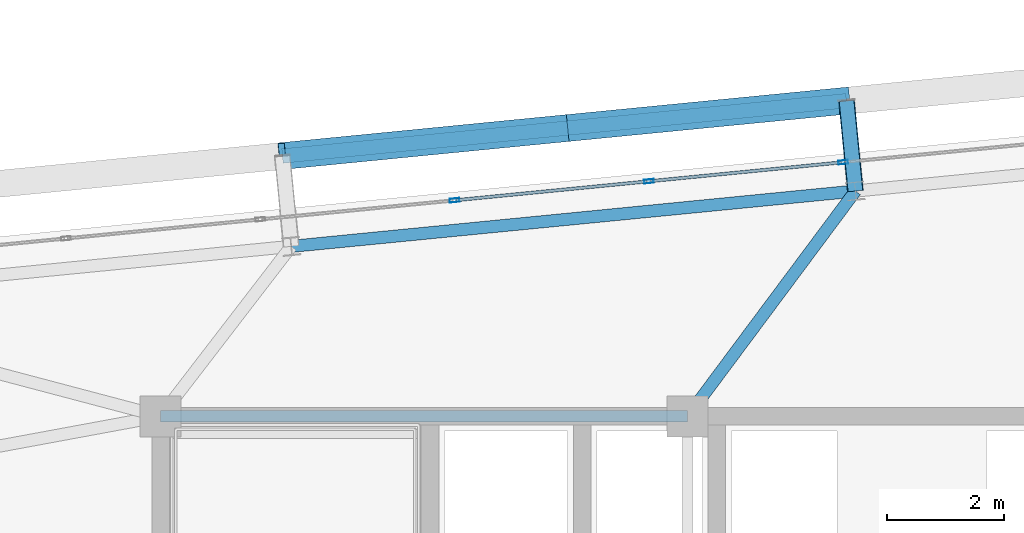
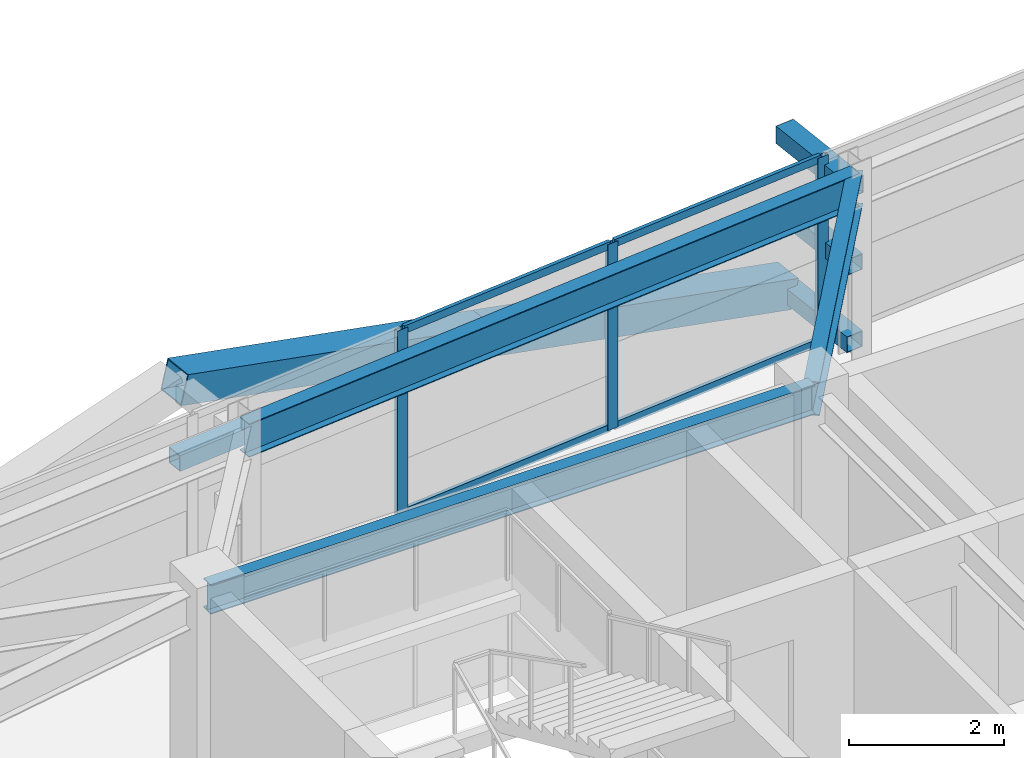
# One storey, part 29 of 53: 13 members, 3 beams, 1 element without a shape of its own.
"""IFC4 building model written with IfcOpenShell, lengths in metres."""

from ifc_helpers import new_model, si_unit, direction, frame, origin, origin_2d, place, context, subcontext, project, spatial, hollow_rectangle, i_section, extrude, source, transform, mapped, material, layer, layer_set, material_profile, profile_set, type_object, element, aggregate, save


model = new_model("IFC4")

# Units and contexts
model_context = context("Model", 3, precision=1e-05, world=origin(), true_north=direction((0.0, 1.0)))
body_context = subcontext(model_context, "Body", "Model", "MODEL_VIEW")
ifc_project = project(units=[si_unit("LENGTHUNIT", "METRE"), si_unit("AREAUNIT", "SQUARE_METRE"), si_unit("VOLUMEUNIT", "CUBIC_METRE"), si_unit("PLANEANGLEUNIT", "RADIAN"), si_unit("MASSUNIT", "GRAM", prefix="KILO")], contexts=[model_context])

# Site, building, storey
site_placement = place(None, origin())
site = spatial("IfcSite", under=ifc_project, at=site_placement, CompositionType="ELEMENT")
building_placement = place(site_placement, origin())
building = spatial("IfcBuilding", under=site, at=building_placement, Name="Taldren Reach Tower", CompositionType="ELEMENT")
storey_placement = place(building_placement, frame((0.0, 0.0, 80.85009765625)))
storey = spatial("IfcBuildingStorey", under=building, at=storey_placement, Name="L24", CompositionType="ELEMENT", Elevation=80.85009765625)

# Beam
ifc_material_1 = material(Name="Steel Gr 350 (350PLUS)", Category="steel")
ifc_material_profile_1 = material_profile(ifc_material_1, i_section(OverallWidth=0.19091796875, OverallDepth=0.4599609375, WebThickness=0.010009765625, FlangeThickness=0.01611328125, at=origin_2d()), Name="460UB82.1")
ifc_profile_set_1 = profile_set([ifc_material_profile_1], Name="Steel Gr 350 (350PLUS)")
beam_type_1 = type_object("IfcBeamType", Name="BM-UB460A", PredefinedType="BEAM", material=ifc_profile_set_1)
shared_shape_1 = source(origin(), body_context, "Body", "SweptSolid", [
    extrude(i_section(OverallWidth=0.19091796875, OverallDepth=0.4599609375, WebThickness=0.010009765625, FlangeThickness=0.01611328125, at=origin_2d()), origin(), (0.0, 0.0, 1.0), 9.0),
])
beam_1_placement = place(storey_placement, frame((19.0, 32.0, 2.699951171875), z_axis=(1.0, 0.0, 0.0), x_axis=(0.0, 1.0, 0.0)))
element("IfcBeam", 1, at=beam_1_placement, inside=storey, type_object=beam_type_1, Name="Core-spine girder L24-SP04", PredefinedType="BEAM", context=body_context, shape_type="MappedRepresentation", body=[
    mapped(shared_shape_1, transform((0.0, 0.0, 0.0), scale=1.0)),
])

# Members
ifc_material_2 = material(Name="Steel Gr 450 (C450L0)", Category="steel")
ifc_material_profile_2 = material_profile(ifc_material_2, hollow_rectangle(XDim=0.27490234375, YDim=0.27490234375, WallThickness=0.00927734375, at=origin_2d()), Name="275x275x9.3SHS")
ifc_profile_set_2 = profile_set([ifc_material_profile_2], Name="Steel Gr 450 (C450L0)")
member_type_1 = type_object("IfcMemberType", Name="MB-TIE273", PredefinedType="STRUT", material=ifc_profile_set_2)
shared_shape_2 = source(origin(), body_context, "Body", "SweptSolid", [
    extrude(hollow_rectangle(XDim=0.27490234375, YDim=0.27490234375, WallThickness=0.00927734375, at=origin_2d()), origin(), (0.0, 0.0, 1.0), 1.5498046875),
])
member_1_placement = place(storey_placement, frame((30.864501953125, 35.84619140625, 2.64990234375), z_axis=(-0.097663201064, 0.995219523099, 0.0), x_axis=(-0.995219523099, -0.097663201064, 0.0)))
element("IfcMember", 2, at=member_1_placement, inside=storey, type_object=member_type_1, Name="Exoskeleton diaphragm tie strut B2-N3 L24", PredefinedType="STRUT", context=body_context, shape_type="MappedRepresentation", body=[
    mapped(shared_shape_2, transform((0.0, 0.0, 0.0), scale=1.0)),
])
ifc_material_3 = material(Name="Steel Gr 350 (C350L0)", Category="steel")
ifc_material_profile_3 = material_profile(ifc_material_3, hollow_rectangle(XDim=0.25, YDim=0.25, WallThickness=0.010009765625, at=origin_2d()), Name="250x250x10.0SHS")
ifc_profile_set_3 = profile_set([ifc_material_profile_3], Name="Steel Gr 350 (C350L0)")
member_type_2 = type_object("IfcMemberType", Name="MB-POST250", PredefinedType="POST", material=ifc_profile_set_3)
shared_shape_3 = source(origin(), body_context, "Body", "SweptSolid", [
    extrude(hollow_rectangle(XDim=0.25, YDim=0.25, WallThickness=0.010009765625, at=origin_2d()), origin(), (0.0, 0.0, 1.0), 1.5498046875),
])
for number, where, z_axis, x_axis, name in (
    (3, (30.864501953125, 35.84619140625, 0.219970703125), (-0.097663201064, 0.995219523099, 0.0), (-0.995219523099, -0.097663201064, 0.0), "Exoskeleton base diaphragm tie strut B2-N3 L24"),
    (4, (30.864501953125, 35.84619140625, 1.434814453125), (-0.097663201064, 0.995219523099, 0.0), (-0.995219523099, -0.097663201064, 0.0), "Exoskeleton mid-tier diaphragm tie B2-N3 L24"),
):
    element("IfcMember", number, at=place(storey_placement, frame(where, z_axis=z_axis, x_axis=x_axis)), inside=storey, type_object=member_type_2, Name=name, PredefinedType="POST", context=body_context, shape_type="MappedRepresentation", body=[
        mapped(shared_shape_3, transform((0.0, 0.0, 0.0), scale=1.0)),
    ])

# Beams
ifc_material_profile_4 = material_profile(ifc_material_1, i_section(OverallWidth=0.208984375, OverallDepth=0.528076171875, WebThickness=0.009521484375, FlangeThickness=0.01318359375, at=origin_2d()), Name="530UB82.0")
ifc_profile_set_4 = profile_set([ifc_material_profile_4], Name="Steel Gr 350 (350PLUS)")
beam_type_2 = type_object("IfcBeamType", Name="SP-UB530B", PredefinedType="SPANDREL", material=ifc_profile_set_4)
shared_shape_4 = source(origin(), body_context, "Body", "SweptSolid", [
    extrude(i_section(OverallWidth=0.208984375, OverallDepth=0.528076171875, WebThickness=0.009521484375, FlangeThickness=0.01318359375, at=origin_2d()), origin(), (0.0, 0.0, 1.0), 9.679931640625),
])
beam_2_placement = place(storey_placement, frame((30.864501953125, 35.84619140625, 2.666015625), z_axis=(-0.995225162995, -0.097605711627, 0.0), x_axis=(0.097605711627, -0.995225162995, 0.0)))
element("IfcBeam", 5, at=beam_2_placement, inside=storey, type_object=beam_type_2, Name="Perimeter spandrel B2 N3-N2 L24", PredefinedType="SPANDREL", context=body_context, shape_type="MappedRepresentation", body=[
    mapped(shared_shape_4, transform((0.0, 0.0, 0.0), scale=1.0)),
])
ifc_material_profile_5 = material_profile(ifc_material_1, i_section(OverallWidth=0.208984375, OverallDepth=0.532958984375, WebThickness=0.01025390625, FlangeThickness=0.015625, at=origin_2d()), Name="530UB92.4")
ifc_profile_set_5 = profile_set([ifc_material_profile_5], Name="Steel Gr 350 (350PLUS)")
beam_type_3 = type_object("IfcBeamType", Name="BM-UB530A", PredefinedType="BEAM", material=ifc_profile_set_5)
shared_shape_5 = source(origin(), body_context, "Body", "SweptSolid", [
    extrude(i_section(OverallWidth=0.208984375, OverallDepth=0.532958984375, WebThickness=0.01025390625, FlangeThickness=0.015625, at=origin_2d()), origin(), (0.0, 0.0, 1.0), 4.795654296875),
])
beam_3_placement = place(storey_placement, frame((28.0, 32.0, 2.663330078125), z_axis=(0.59730864792, 0.802011458223, 0.0), x_axis=(-0.802011458223, 0.59730864792, 0.0)))
element("IfcBeam", 6, at=beam_3_placement, inside=storey, type_object=beam_type_3, Name="Primary floor girder B2-N3 L24", PredefinedType="BEAM", context=body_context, shape_type="MappedRepresentation", body=[
    mapped(shared_shape_5, transform((0.0, 0.0, 0.0), scale=1.0)),
])

# Members
ifc_material_profile_6 = material_profile(ifc_material_2, hollow_rectangle(XDim=0.4599609375, YDim=0.4599609375, WallThickness=0.01611328125, at=origin_2d()), Name="460x460x16.0SHS")
ifc_profile_set_6 = profile_set([ifc_material_profile_6], Name="Steel Gr 450 (C450L0)")
member_type_3 = type_object("IfcMemberType", Name="MB-EXO457", PredefinedType="BRACE", material=ifc_profile_set_6)
shared_shape_6 = source(origin(), body_context, "Body", "SweptSolid", [
    extrude(hollow_rectangle(XDim=0.4599609375, YDim=0.4599609375, WallThickness=0.01611328125, at=origin_2d()), origin(), (0.0, 0.0, 1.0), 4.990234375),
])
for number, where, z_axis, x_axis, name in (
    (7, (30.713134765625, 37.388671875, 0.219970703125), (-0.965287024526, -0.094620633828, 0.24344998652), (0.097555749586, -0.995230061706, 0.0), "Exoskeleton Diagrid Brace B2-N2 L24"),
    (8, (25.896240234375, 36.91650390625, 1.434814453125), (-0.965271056716, -0.094667992638, 0.243494883389), (0.097605711627, -0.995225162995, 0.0), "Exoskeleton Diagrid Brace B2-N2 L24"),
):
    element("IfcMember", number, at=place(storey_placement, frame(where, z_axis=z_axis, x_axis=x_axis)), inside=storey, type_object=member_type_3, Name=name, PredefinedType="BRACE", context=body_context, shape_type="MappedRepresentation", body=[
        mapped(shared_shape_6, transform((0.0, 0.0, 0.0), scale=1.0)),
    ])
shared_shape_7 = source(origin(), body_context, "Body", "SweptSolid", [
    extrude(hollow_rectangle(XDim=0.25, YDim=0.25, WallThickness=0.010009765625, at=origin_2d()), origin(), (0.0, 0.0, 1.0), 9.679931640625),
])
member_2_placement = place(storey_placement, frame((21.079345703125, 36.444091796875, 1.434814453125), z_axis=(0.995227612658, 0.097580730699, 0.0), x_axis=(-0.097580730699, 0.995227612658, 0.0)))
element("IfcMember", 9, at=member_2_placement, inside=storey, type_object=member_type_2, Name="Exoskeleton mid-height ring chord B2-N2 L24", PredefinedType="POST", context=body_context, shape_type="MappedRepresentation", body=[
    mapped(shared_shape_7, transform((0.0, 0.0, 0.0), scale=1.0)),
])

# Curtain wall, members
ifc_material_4 = material(Name="Aluminium and Low-E Glass Unitised System", Category="aluminium")
ifc_layer = layer(ifc_material_4, 0.159912109375)
ifc_layer_set = layer_set([ifc_layer], Name="Aluminium and Low-E Glass Unitised System")
curtain_wall_type = type_object("IfcCurtainWallType", Name="CW-SYS-3", PredefinedType="NOTDEFINED", material=ifc_layer_set)
curtain_wall_placement = place(storey_placement, origin())
curtain_wall = element("IfcCurtainWall", 10, at=curtain_wall_placement, inside=storey, type_object=curtain_wall_type, Name="Unitised curtain wall CW-L24-N", PredefinedType="NOTDEFINED")
ifc_material_5 = material(Name="Anodised Aluminium 6063-T6", Category="aluminium")
ifc_material_profile_7 = material_profile(ifc_material_5, hollow_rectangle(XDim=0.06494140625, YDim=0.1650390625, WallThickness=0.00390625, at=origin_2d()), Name="ALU-165x65x4RHS")
ifc_profile_set_7 = profile_set([ifc_material_profile_7], Name="Anodised Aluminium 6063-T6")
member_type_4 = type_object("IfcMemberType", Name="CW-MUL-165", PredefinedType="MULLION", material=ifc_profile_set_7)
shared_shape_8 = source(origin(), body_context, "Body", "SweptSolid", [
    extrude(hollow_rectangle(XDim=0.06494140625, YDim=0.1650390625, WallThickness=0.00390625, at=origin_2d()), origin(), (0.0, 0.0, 1.0), 2.929931640625),
])
member_3_placement = place(storey_placement, frame((30.655517578125, 36.338134765625, 0.0), z_axis=(0.0, 0.0, 1.0), x_axis=(0.097582999046, -0.995227390247, 0.0)))
member_3 = element("IfcMember", 11, at=member_3_placement, type_object=member_type_4, Name="CW-3 mullion 10", PredefinedType="MULLION", context=body_context, shape_type="MappedRepresentation", body=[
    mapped(shared_shape_8, transform((0.0, 0.0, 0.0), scale=1.0)),
])
member_4_placement = place(storey_placement, frame((27.337890625, 36.0126953125, 0.0), z_axis=(0.0, 0.0, 1.0), x_axis=(0.097582999046, -0.995227390247, 0.0)))
member_4 = element("IfcMember", 12, at=member_4_placement, type_object=member_type_4, Name="CW-3 mullion 11", PredefinedType="MULLION", context=body_context, shape_type="MappedRepresentation", body=[
    mapped(shared_shape_8, transform((0.0, 0.0, 0.0), scale=1.0)),
])
member_5_placement = place(storey_placement, frame((24.0205078125, 35.6875, 0.0), z_axis=(0.0, 0.0, 1.0), x_axis=(0.097582999046, -0.995227390247, 0.0)))
member_5 = element("IfcMember", 13, at=member_5_placement, type_object=member_type_4, Name="CW-3 mullion 12", PredefinedType="MULLION", context=body_context, shape_type="MappedRepresentation", body=[
    mapped(shared_shape_8, transform((0.0, 0.0, 0.0), scale=1.0)),
])
ifc_material_profile_8 = material_profile(ifc_material_5, hollow_rectangle(XDim=0.054931640625, YDim=0.1201171875, WallThickness=0.0029296875, at=origin_2d()), Name="ALU-120x55x3RHS")
ifc_profile_set_8 = profile_set([ifc_material_profile_8], Name="Anodised Aluminium 6063-T6")
member_type_5 = type_object("IfcMemberType", Name="CW-TRN-135", PredefinedType="USERDEFINED", material=ifc_profile_set_8)
shared_shape_9 = source(origin(), body_context, "Body", "SweptSolid", [
    extrude(hollow_rectangle(XDim=0.054931640625, YDim=0.1201171875, WallThickness=0.0029296875, at=origin_2d()), origin(), (0.0, 0.0, 1.0), 3.268310546875),
])
member_6_placement = place(storey_placement, frame((30.623046875, 36.3349609375, 0.02734375), z_axis=(-0.995222549564, -0.097632355496, 0.0), x_axis=(0.097632355496, -0.995222549564, 0.0)))
member_6 = element("IfcMember", 14, at=member_6_placement, type_object=member_type_5, Name="CW-3 transom 10.1", ObjectType="TRANSOM", PredefinedType="USERDEFINED", context=body_context, shape_type="MappedRepresentation", body=[
    mapped(shared_shape_9, transform((0.0, 0.0, 0.0), scale=1.0)),
])
member_7_placement = place(storey_placement, frame((30.623046875, 36.3349609375, 2.90234375), z_axis=(-0.995222549564, -0.097632355496, 0.0), x_axis=(0.097632355496, -0.995222549564, 0.0)))
member_7 = element("IfcMember", 15, at=member_7_placement, type_object=member_type_5, Name="CW-3 transom 10.2", ObjectType="TRANSOM", PredefinedType="USERDEFINED", context=body_context, shape_type="MappedRepresentation", body=[
    mapped(shared_shape_9, transform((0.0, 0.0, 0.0), scale=1.0)),
])
member_8_placement = place(storey_placement, frame((27.3056640625, 36.009521484375, 0.02734375), z_axis=(-0.99522980512, -0.097558367146, 0.0), x_axis=(0.097558367146, -0.99522980512, 0.0)))
member_8 = element("IfcMember", 16, at=member_8_placement, type_object=member_type_5, Name="CW-3 transom 11.1", ObjectType="TRANSOM", PredefinedType="USERDEFINED", context=body_context, shape_type="MappedRepresentation", body=[
    mapped(shared_shape_9, transform((0.0, 0.0, 0.0), scale=1.0)),
])
member_9_placement = place(storey_placement, frame((27.3056640625, 36.009521484375, 2.90234375), z_axis=(-0.99522980512, -0.097558367146, 0.0), x_axis=(0.097558367146, -0.99522980512, 0.0)))
member_9 = element("IfcMember", 17, at=member_9_placement, type_object=member_type_5, Name="CW-3 transom 11.2", ObjectType="TRANSOM", PredefinedType="USERDEFINED", context=body_context, shape_type="MappedRepresentation", body=[
    mapped(shared_shape_9, transform((0.0, 0.0, 0.0), scale=1.0)),
])
aggregate(curtain_wall, [member_3, member_4, member_5, member_6, member_7, member_8, member_9])

save(model, "model.ifc")
